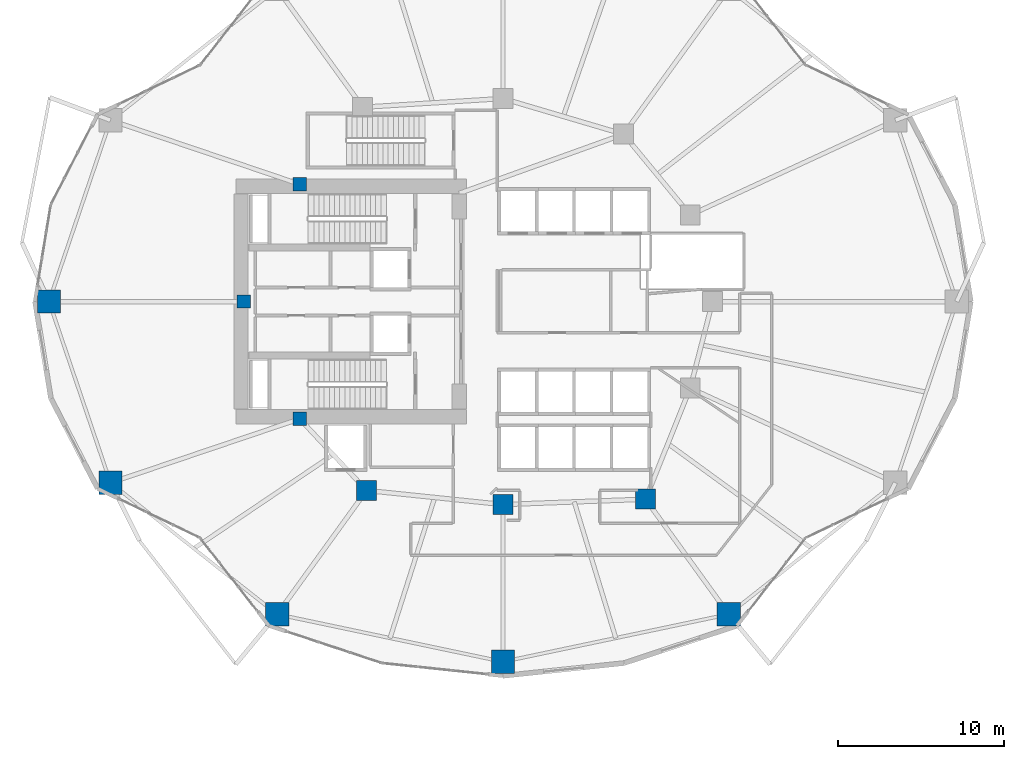
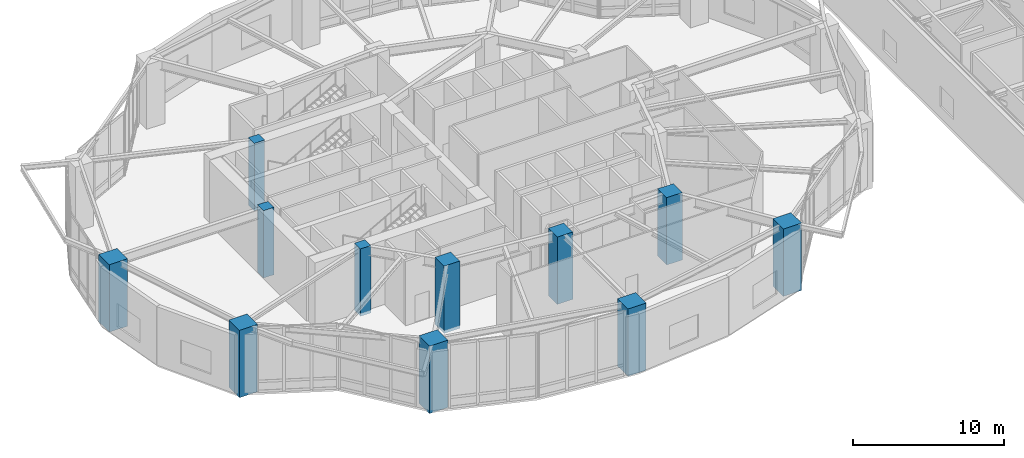
# One storey, part 1 of 29: 11 columns.
"""IFC4 building model written with IfcOpenShell, lengths in metres."""

from ifc_helpers import new_model, si_unit, direction, frame, origin, origin_2d, place, context, subcontext, project, spatial, rectangle, extrude, material, material_profile, profile_set, type_object, element, save


model = new_model("IFC4")

# Units and contexts
model_context = context("Model", 3, precision=1e-05, world=origin(), true_north=direction((0.0, 1.0)))
body_context = subcontext(model_context, "Body", "Model", "MODEL_VIEW")
ifc_project = project(units=[si_unit("LENGTHUNIT", "METRE"), si_unit("AREAUNIT", "SQUARE_METRE"), si_unit("VOLUMEUNIT", "CUBIC_METRE"), si_unit("PLANEANGLEUNIT", "RADIAN"), si_unit("MASSUNIT", "GRAM", prefix="KILO")], contexts=[model_context])

# Site, building, storey
site_placement = place(None, origin())
site = spatial("IfcSite", under=ifc_project, at=site_placement, CompositionType="ELEMENT")
building_placement = place(site_placement, origin())
building = spatial("IfcBuilding", under=site, at=building_placement, Name="Kolvaren Gate Tower and Convention Centre", CompositionType="ELEMENT")
storey_placement = place(building_placement, frame((0.0, 0.0, 21.0)))
storey = spatial("IfcBuildingStorey", under=building, at=storey_placement, Name="L04", CompositionType="ELEMENT", Elevation=21.0)

# Columns
ifc_material_1 = material(Name="Concrete C70/85", Category="concrete")
ifc_material_profile_1 = material_profile(ifc_material_1, rectangle(XDim=1.199951171875, YDim=1.199951171875, at=origin_2d()), Name="RC-COL-1200X1200")
ifc_profile_set_1 = profile_set([ifc_material_profile_1], Name="Concrete C70/85")
column_type_1 = type_object("IfcColumnType", Name="STR-COL-RC1200", PredefinedType="COLUMN", material=ifc_profile_set_1)
for number, where, z_axis, x_axis, name in (
    (1, (21.93212890625, 15.647705078125, -0.239990234375), (0.0, 0.0, 1.0), (1.0, 0.0, 0.0), "Tower L04 Interior Column TI-06"),
    (2, (30.125, 14.800048828125, -0.239990234375), (0.0, 0.0, 1.0), (1.0, 0.0, 0.0), "Tower L04 Interior Column TI-07"),
    (3, (38.6982421875, 15.12060546875, -0.239990234375), (0.0, 0.0, 1.0), (1.0, 0.0, 0.0), "Tower L04 Interior Column TI-08"),
):
    element("IfcColumn", number, at=place(storey_placement, frame(where, z_axis=z_axis, x_axis=x_axis)), inside=storey, type_object=column_type_1, Name=name, PredefinedType="COLUMN", context=body_context, shape_type="SweptSolid", body=[
        extrude(rectangle(XDim=1.199951171875, YDim=1.199951171875, at=origin_2d()), origin(), (0.0, 0.0, 1.0), 5.4599609375),
    ])
ifc_material_profile_2 = material_profile(ifc_material_1, rectangle(XDim=1.39990234375, YDim=1.39990234375, at=origin_2d()), Name="RC-COL-1400X1400")
ifc_profile_set_2 = profile_set([ifc_material_profile_2], Name="Concrete C70/85")
column_type_2 = type_object("IfcColumnType", Name="STR-COL-RC1400", PredefinedType="COLUMN", material=ifc_profile_set_2)
for number, where, z_axis, x_axis, name in (
    (4, (2.85009765625, 27.0, -0.239990234375), (0.0, 0.0, 1.0), (1.0, 0.0, 0.0), "Tower L04 Perimeter Supercolumn TP-07"),
    (5, (6.539794921875, 16.1064453125, -0.239990234375), (0.0, 0.0, 1.0), (1.0, 0.0, 0.0), "Tower L04 Perimeter Supercolumn TP-08"),
    (6, (16.559814453125, 8.20361328125, -0.239990234375), (0.0, 0.0, 1.0), (1.0, 0.0, 0.0), "Tower L04 Perimeter Supercolumn TP-09"),
    (7, (30.125, 5.35009765625, -0.239990234375), (0.0, 0.0, 1.0), (1.0, 0.0, 0.0), "Tower L04 Perimeter Supercolumn TP-10"),
    (8, (43.690185546875, 8.20361328125, -0.239990234375), (0.0, 0.0, 1.0), (1.0, 0.0, 0.0), "Tower L04 Perimeter Supercolumn TP-11"),
):
    element("IfcColumn", number, at=place(storey_placement, frame(where, z_axis=z_axis, x_axis=x_axis)), inside=storey, type_object=column_type_2, Name=name, PredefinedType="COLUMN", context=body_context, shape_type="SweptSolid", body=[
        extrude(rectangle(XDim=1.39990234375, YDim=1.39990234375, at=origin_2d()), origin(), (0.0, 0.0, 1.0), 5.4599609375),
    ])
ifc_material_2 = material(Name="Concrete C60/75", Category="concrete")
ifc_material_profile_3 = material_profile(ifc_material_2, rectangle(XDim=0.800048828125, YDim=0.800048828125, at=origin_2d()), Name="RC-COL-800X800")
ifc_profile_set_3 = profile_set([ifc_material_profile_3], Name="Concrete C60/75")
column_type_3 = type_object("IfcColumnType", Name="STR-PIL-RC800", PredefinedType="PILASTER", material=ifc_profile_set_3)
for number, where, z_axis, x_axis, name in (
    (9, (17.9140625, 34.050048828125, -0.239990234375), (0.0, 0.0, 1.0), (1.0, 0.0, 0.0), "Tower L04 Core Boundary Pilaster TC-05"),
    (10, (14.550048828125, 27.0, -0.239990234375), (0.0, 0.0, 1.0), (1.0, 0.0, 0.0), "Tower L04 Core Boundary Pilaster TC-06"),
    (11, (17.9140625, 19.949951171875, -0.239990234375), (0.0, 0.0, 1.0), (1.0, 0.0, 0.0), "Tower L04 Core Boundary Pilaster TC-07"),
):
    element("IfcColumn", number, at=place(storey_placement, frame(where, z_axis=z_axis, x_axis=x_axis)), inside=storey, type_object=column_type_3, Name=name, PredefinedType="PILASTER", context=body_context, shape_type="SweptSolid", body=[
        extrude(rectangle(XDim=0.800048828125, YDim=0.800048828125, at=origin_2d()), origin(), (0.0, 0.0, 1.0), 5.4599609375),
    ])

save(model, "model.ifc")
